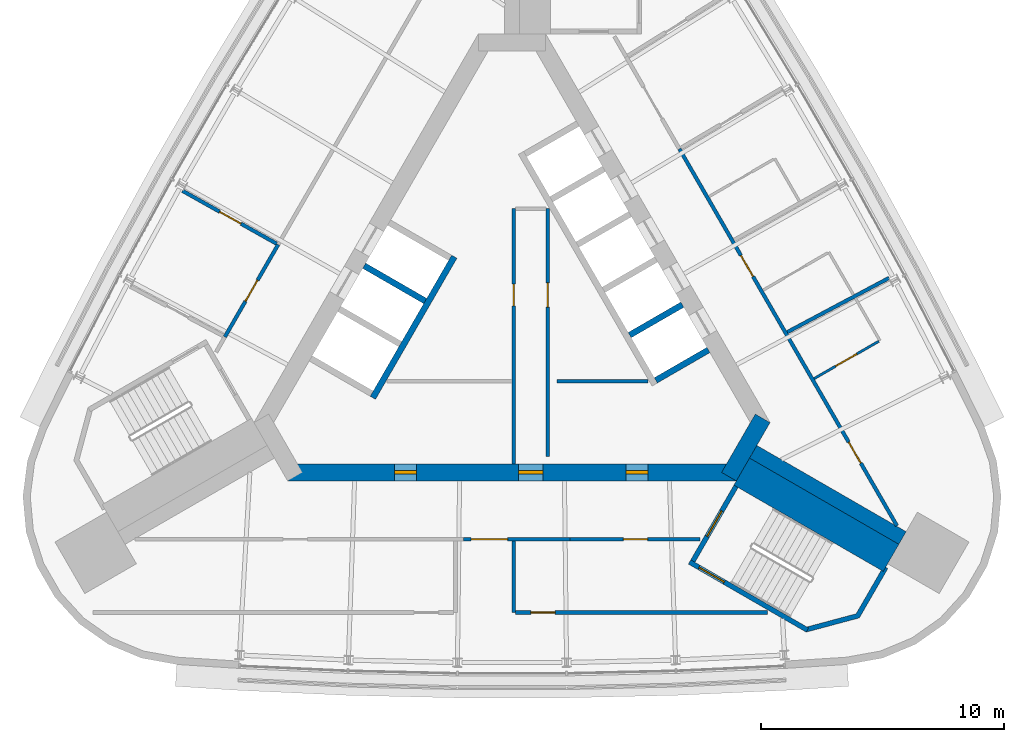
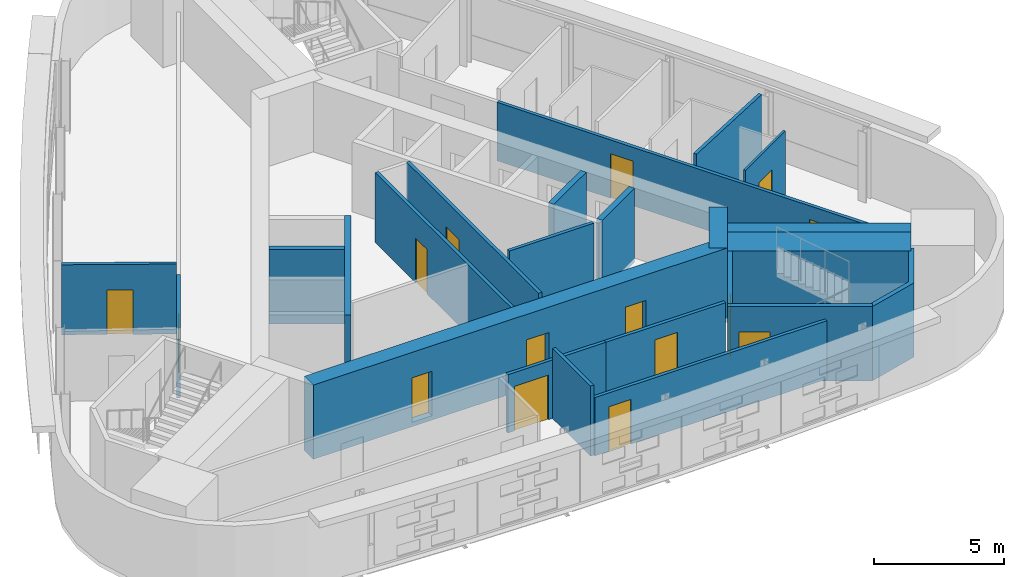
# One storey, part 6 of 10: 23 walls, 15 doors, 15 openings.
"""IFC4 building model written with IfcOpenShell, lengths in metres."""

import ifcopenshell
import ifcopenshell.guid

model = None  # the IFC model being written
_history = None  # IfcOwnerHistory: only IFC2X3 demands one
_inside = {}  # id of a spatial element -> (the spatial element, [elements in it])
_under = {}  # id of a project, library or spatial element -> (it, [spatial elements below it])
_declared = {}  # id of a project -> (the project, [libraries it declares])
_typed = {}  # id of a type object -> (the type object, [elements of that type])
_made_of = {}  # id of a material, layer set ... -> (it, [elements and type objects made of it])


def new_model(schema):
    """Start an empty IFC model of exactly this schema.

    Asked for "IFC4X3", IfcOpenShell would pick the latest addendum, in which some entities
    have other attributes; the version numbers below select the first issue.
    IFC2X3 requires an IfcOwnerHistory on every rooted entity: one is made here for all.
    """
    global model, _history
    if schema == "IFC4X3":
        model = ifcopenshell.file(schema_version=(4, 3, 0, 0))
    else:
        model = ifcopenshell.file(schema=schema)
    _inside.clear()
    _under.clear()
    _declared.clear()
    _typed.clear()
    _made_of.clear()
    _history = None
    if model.schema == "IFC2X3":
        org = make("IfcOrganization", Name="unknown")
        user = make(
            "IfcPersonAndOrganization",
            ThePerson=make("IfcPerson", FamilyName="unknown"),
            TheOrganization=org,
        )
        app = make(
            "IfcApplication",
            ApplicationDeveloper=org,
            Version="unknown",
            ApplicationFullName="unknown",
            ApplicationIdentifier="unknown",
        )
        _history = make(
            "IfcOwnerHistory",
            OwningUser=user,
            OwningApplication=app,
            ChangeAction="ADDED",
            CreationDate=0,
        )
    return model


def make(cls, **values):
    """One entity of the class cls with the attributes given. An attribute that is None is left unset."""
    return model.create_entity(
        cls, **{name: value for name, value in values.items() if value is not None}
    )


def rooted(cls, **values):
    """An entity with a GlobalId (a new one), such as an element, a storey or a relation."""
    return make(cls, GlobalId=ifcopenshell.guid.new(), OwnerHistory=_history, **values)


def si_unit(unit_type, name, prefix=None):
    """IfcSIUnit, for example si_unit("LENGTHUNIT", "METRE", prefix="MILLI")."""
    return make("IfcSIUnit", UnitType=unit_type, Prefix=prefix, Name=name)


def assignment(units):
    """IfcUnitAssignment: the units of a project."""
    return None if units is None else make("IfcUnitAssignment", Units=units)


def point(xyz):
    """IfcCartesianPoint."""
    return None if xyz is None else make("IfcCartesianPoint", Coordinates=xyz)


def direction(xyz):
    """IfcDirection."""
    return None if xyz is None else make("IfcDirection", DirectionRatios=xyz)


def frame(location, z_axis=None, x_axis=None):
    """IfcAxis2Placement3D, a coordinate frame: its origin and axes. An axis left out is left unset."""
    return make(
        "IfcAxis2Placement3D",
        Location=point(location),
        Axis=direction(z_axis),
        RefDirection=direction(x_axis),
    )


def frame_2d(location, x_axis=None):
    """IfcAxis2Placement2D, a coordinate frame in the plane: its origin and x axis."""
    return make(
        "IfcAxis2Placement2D", Location=point(location), RefDirection=direction(x_axis)
    )


def origin():
    """The frame at (0, 0, 0) with its axes left unset."""
    return frame((0.0, 0.0, 0.0))


def place(relative_to, where):
    """IfcLocalPlacement: puts the frame where relative to a parent placement (None: the world)."""
    return make(
        "IfcLocalPlacement", PlacementRelTo=relative_to, RelativePlacement=where
    )


def context(
    kind, dimensions, precision=None, world=None, true_north=None, identifier=None
):
    """IfcGeometricRepresentationContext, for example the 3D "Model" context."""
    return make(
        "IfcGeometricRepresentationContext",
        ContextIdentifier=identifier,
        ContextType=kind,
        CoordinateSpaceDimension=dimensions,
        Precision=precision,
        WorldCoordinateSystem=world,
        TrueNorth=true_north,
    )


def subcontext(parent, identifier, kind, view, scale=None):
    """IfcGeometricRepresentationSubContext, for example "Body" below "Model"."""
    return make(
        "IfcGeometricRepresentationSubContext",
        ContextIdentifier=identifier,
        ContextType=kind,
        ParentContext=parent,
        TargetScale=scale,
        TargetView=view,
    )


def project(units=None, contexts=None):
    """IfcProject with its units and contexts."""
    return rooted(
        "IfcProject",
        Name="project",
        RepresentationContexts=contexts,
        UnitsInContext=assignment(units),
    )


def spatial(cls, under=None, at=None, **own):
    """A site, building, storey or space (cls), placed at a placement, below another one or the project."""
    s = rooted(cls, ObjectPlacement=at, **own)
    if under is not None:
        _under.setdefault(under.id(), (under, []))[1].append(s)
    return s


def polyline(points):
    """IfcPolyline through the points."""
    return make("IfcPolyline", Points=[point(p) for p in points])


def profile(cls, at=None, kind="AREA", **sizes):
    """A parametric profile (cls). Its sizes go by their IFC names, for example OverallWidth=200.0."""
    return make(cls, ProfileType=kind, Position=at, **sizes)


def rectangle(**sizes):
    """IfcRectangleProfileDef."""
    return profile("IfcRectangleProfileDef", **sizes)


def outline(outer, holes=None, kind="AREA"):
    """IfcArbitraryClosedProfileDef: a profile drawn as a closed curve; with holes, ...WithVoids."""
    if holes is None:
        return make("IfcArbitraryClosedProfileDef", ProfileType=kind, OuterCurve=outer)
    return make(
        "IfcArbitraryProfileDefWithVoids",
        ProfileType=kind,
        OuterCurve=outer,
        InnerCurves=holes,
    )


def extrude(swept, where, along, depth):
    """IfcExtrudedAreaSolid: the profile swept, set in the frame where, extruded along a direction by depth."""
    return make(
        "IfcExtrudedAreaSolid",
        SweptArea=swept,
        Position=where,
        ExtrudedDirection=direction(along),
        Depth=depth,
    )


def shape(context_of_items, identifier, shape_type, items):
    """IfcShapeRepresentation: the items that make up one representation, for example the "Body"."""
    return make(
        "IfcShapeRepresentation",
        ContextOfItems=context_of_items,
        RepresentationIdentifier=identifier,
        RepresentationType=shape_type,
        Items=items,
    )


def material(Name=None, Category=None):
    """IfcMaterial."""
    return make("IfcMaterial", Name=Name, Category=Category)


def layer(
    of_material, thickness, ventilated=None, Name=None, Category=None, Priority=None
):
    """IfcMaterialLayer: one layer of a wall or slab, of a material (None: an air gap)."""
    return make(
        "IfcMaterialLayer",
        Material=of_material,
        LayerThickness=thickness,
        IsVentilated=ventilated,
        Name=Name,
        Category=Category,
        Priority=Priority,
    )


def layer_set(layers, Name=None):
    """IfcMaterialLayerSet."""
    return make("IfcMaterialLayerSet", MaterialLayers=layers, LayerSetName=Name)


def made_of(thing, what):
    """Note that an element or type object is made of a material, layer set ...; save() writes the relation."""
    if what is not None:
        _made_of.setdefault(what.id(), (what, []))[1].append(thing)
    return thing


def type_object(cls, material=None, **own):
    """A type object (cls), such as IfcWallType, which elements share."""
    return made_of(rooted(cls, **own), material)


def element(
    cls,
    number,
    at=None,
    inside=None,
    cuts=None,
    type_object=None,
    material=None,
    context=None,
    identifier="Body",
    shape_type=None,
    held_by="IfcProductDefinitionShape",
    body=None,
    shapes=None,
    **own,
):
    """One element of the class cls, such as IfcWall. Its Tag is "e" and its number.

    at: its placement. inside: the storey or other place that contains it. cuts: it is an
    opening in that element (IfcRelVoidsElement). A single representation is given by context,
    identifier, shape_type and body (its items); several are given by shapes. held_by: the class
    of the entity that holds the representations. save() writes the other relations.
    """
    e = rooted(cls, Tag="e%d" % number, ObjectPlacement=at, **own)
    if body is not None:
        shapes = [shape(context, identifier, shape_type, body)]
    if shapes is not None:
        e.Representation = make(held_by, Representations=shapes)
    if inside is not None:
        _inside.setdefault(inside.id(), (inside, []))[1].append(e)
    if cuts is not None:
        rooted(
            "IfcRelVoidsElement", RelatingBuildingElement=cuts, RelatedOpeningElement=e
        )
    if type_object is not None:
        _typed.setdefault(type_object.id(), (type_object, []))[1].append(e)
    return made_of(e, material)


def fill(opening, filler):
    """IfcRelFillsElement: the door or window that sits in an opening."""
    return rooted(
        "IfcRelFillsElement",
        RelatingOpeningElement=opening,
        RelatedBuildingElement=filler,
    )


def aggregate(whole, parts):
    """IfcRelAggregates: a whole, such as a stair, and the parts it consists of."""
    return rooted("IfcRelAggregates", RelatingObject=whole, RelatedObjects=parts)


def save(model, path):
    """Write the relations noted so far, then the file.

    IfcRelAggregates (storeys below a building ...), IfcRelContainedInSpatialStructure (elements
    in a storey), IfcRelDefinesByType, IfcRelAssociatesMaterial and IfcRelDeclares: one each for
    every whole, place, type object, material and project.
    """
    for whole, parts in _under.values():
        aggregate(whole, parts)
    for where, things in _inside.values():
        rooted(
            "IfcRelContainedInSpatialStructure",
            RelatedElements=things,
            RelatingStructure=where,
        )
    for kind, things in _typed.values():
        rooted("IfcRelDefinesByType", RelatedObjects=things, RelatingType=kind)
    for what, things in _made_of.values():
        rooted("IfcRelAssociatesMaterial", RelatedObjects=things, RelatingMaterial=what)
    for by, libraries in _declared.values():
        rooted("IfcRelDeclares", RelatingContext=by, RelatedDefinitions=libraries)
    model.write(path)


model = new_model("IFC4")

# Units and contexts
model_context = context("Model", 3, precision=1e-05, world=origin(), true_north=direction((0.0, 1.0)))
body_context = subcontext(model_context, "Body", "Model", "MODEL_VIEW")
ifc_project = project(units=[si_unit("LENGTHUNIT", "METRE"), si_unit("AREAUNIT", "SQUARE_METRE"), si_unit("VOLUMEUNIT", "CUBIC_METRE"), si_unit("PLANEANGLEUNIT", "RADIAN"), si_unit("MASSUNIT", "GRAM", prefix="KILO")], contexts=[model_context])

# Site, building, storey
site_placement = place(None, origin())
site = spatial("IfcSite", under=ifc_project, at=site_placement, CompositionType="ELEMENT")
building_placement = place(site_placement, origin())
building = spatial("IfcBuilding", under=site, at=building_placement, Name="Noor Cloister Tower", CompositionType="ELEMENT")
storey_placement = place(building_placement, frame((0.0, 0.0, 247.199951171875)))
storey = spatial("IfcBuildingStorey", under=building, at=storey_placement, Name="L64", CompositionType="ELEMENT", Elevation=247.199951171875)

# Wall
ifc_material_1 = material(Name="Concrete C60/75", Category="concrete")
ifc_layer_1 = layer(ifc_material_1, 0.60009765625)
ifc_layer_set_1 = layer_set([ifc_layer_1], Name="Buttress wall 600 C60/75")
wall_type_1 = type_object("IfcWallType", Name="Buttress wall 600 C60/75", PredefinedType="SHEAR", material=ifc_layer_set_1)
wall_1_placement = place(storey_placement, frame((9.921630859375, -5.728271484375, -0.199951171875), z_axis=(0.0, 0.0, 1.0), x_axis=(0.866029688112, -0.499992579254, 0.0)))
element("IfcWall", 1, at=wall_1_placement, inside=storey, type_object=wall_type_1, Name="Buttress wall SE L64", PredefinedType="SHEAR", context=body_context, shape_type="SweptSolid", body=[
    extrude(rectangle(XDim=7.09326171875, YDim=0.60009765625, at=frame_2d((3.546630859375, 0.0))), origin(), (0.0, 0.0, 1.0), 3.5),
])

# Wall, opening, door
ifc_material_2 = material(Name="Concrete C30/37", Category="concrete")
ifc_layer_2 = layer(ifc_material_2, 0.14990234375)
ifc_layer_set_2 = layer_set([ifc_layer_2], Name="Core partition 150 C30/37")
wall_type_2 = type_object("IfcWallType", Name="Core partition 150 C30/37", PredefinedType="PARTITIONING", material=ifc_layer_set_2)
wall_2_placement = place(storey_placement, frame((0.0712890625, 4.271728515625, 0.0), z_axis=(0.0, 0.0, 1.0), x_axis=(0.0, -1.0, 0.0)))
wall_2 = element("IfcWall", 2, at=wall_2_placement, inside=storey, type_object=wall_type_2, Name="Core room partition L64 2", PredefinedType="PARTITIONING", context=body_context, shape_type="SweptSolid", body=[
    extrude(rectangle(XDim=10.5, YDim=0.14990234375, at=frame_2d((5.25, 0.0))), origin(), (0.0, 0.0, 1.0), 3.300048828125),
])
opening_1_placement = place(wall_2_placement, frame((3.10107421875, 0.0, 0.0)))
opening_1 = element("IfcOpeningElement", 3, at=opening_1_placement, cuts=wall_2, Name="Opening L64-904", PredefinedType="OPENING", context=body_context, shape_type="SweptSolid", body=[
    extrude(rectangle(XDim=0.89990234375, YDim=2.10009765625, at=frame_2d((0.449951171875, 1.050048828125))), frame((0.0, 0.0849609375, 0.0), z_axis=(0.0, -1.0, 0.0), x_axis=(1.0, 0.0, 0.0)), (0.0, 0.0, 1.0), 0.169921875),
])
ifc_material_3 = material(Name="Steel", Category="steel")
door_type_1 = type_object("IfcDoorType", Name="Core door 900 x 2100 FD120", OperationType="SINGLE_SWING_LEFT", PredefinedType="DOOR", material=ifc_material_3)
door_1_placement = place(opening_1_placement, origin())
door_1 = element("IfcDoor", 4, at=door_1_placement, inside=storey, type_object=door_type_1, Name="Core door 4 L64", OperationType="SINGLE_SWING_RIGHT", OverallHeight=2.10009765625, OverallWidth=0.89990234375, PredefinedType="DOOR", context=body_context, shape_type="SweptSolid", body=[
    extrude(rectangle(XDim=0.89990234375, YDim=2.10009765625, at=frame_2d((0.449951171875, 1.050048828125))), frame((0.0, 0.02490234375, 0.0), z_axis=(0.0, -1.0, 0.0), x_axis=(1.0, 0.0, 0.0)), (0.0, 0.0, 1.0), 0.050048828125),
])
fill(opening_1, door_1)

wall_3_placement = place(storey_placement, frame((1.47119140625, -5.92822265625, 0.0), z_axis=(0.0, 0.0, 1.0), x_axis=(0.0, 1.0, 0.0)))
wall_3 = element("IfcWall", 5, at=wall_3_placement, inside=storey, type_object=wall_type_2, Name="Core room partition L64 4", PredefinedType="PARTITIONING", context=body_context, shape_type="SweptSolid", body=[
    extrude(rectangle(XDim=10.206298828125, YDim=0.14990234375, at=frame_2d((5.10302734375, 0.0))), origin(), (0.0, 0.0, 1.0), 3.300048828125),
])
opening_2_placement = place(wall_3_placement, frame((6.14990234375, 0.0, 0.0)))
opening_2 = element("IfcOpeningElement", 6, at=opening_2_placement, cuts=wall_3, Name="Opening L64-905", PredefinedType="OPENING", context=body_context, shape_type="SweptSolid", body=[
    extrude(rectangle(XDim=1.0, YDim=2.10009765625, at=frame_2d((0.5, 1.050048828125))), frame((0.0, 0.0849609375, 0.0), z_axis=(0.0, -1.0, 0.0), x_axis=(1.0, 0.0, 0.0)), (0.0, 0.0, 1.0), 0.169921875),
])
ifc_material_4 = material(Name="Steel", Category="steel")
door_type_2 = type_object("IfcDoorType", Name="Core door 1000 x 2100 FD60", OperationType="SINGLE_SWING_LEFT", PredefinedType="DOOR", material=ifc_material_4)
door_2_placement = place(opening_2_placement, origin())
door_2 = element("IfcDoor", 7, at=door_2_placement, inside=storey, type_object=door_type_2, Name="Core door 5 L64", OperationType="SINGLE_SWING_LEFT", OverallHeight=2.10009765625, OverallWidth=1.0, PredefinedType="DOOR", context=body_context, shape_type="SweptSolid", body=[
    extrude(rectangle(XDim=1.0, YDim=2.10009765625, at=frame_2d((0.5, 1.050048828125))), frame((0.0, 0.02490234375, 0.0), z_axis=(0.0, -1.0, 0.0), x_axis=(1.0, 0.0, 0.0)), (0.0, 0.0, 1.0), 0.050048828125),
])
fill(opening_2, door_2)

# Wall
wall_4_placement = place(storey_placement, frame((1.84619140625, -2.828125, 0.0), z_axis=(0.0, 0.0, 1.0), x_axis=(1.0, 0.0, 0.0)))
element("IfcWall", 8, at=wall_4_placement, inside=storey, type_object=wall_type_2, Name="Core room partition L64 5", PredefinedType="PARTITIONING", context=body_context, shape_type="SweptSolid", body=[
    extrude(rectangle(XDim=3.7578125, YDim=0.14990234375, at=frame_2d((1.87890625, 0.0))), origin(), (0.0, 0.0, 1.0), 3.300048828125),
])

# Wall, openings, doors
ifc_material_5 = material(Name="Concrete C60/75", Category="concrete")
ifc_layer_3 = layer(ifc_material_5, 0.699951171875)
ifc_layer_set_3 = layer_set([ifc_layer_3], Name="Core wall 700 C60/75")
wall_type_3 = type_object("IfcWallType", Name="Core wall 700 C60/75", PredefinedType="SHEAR", material=ifc_layer_set_3)
wall_5_placement = place(storey_placement, frame((-9.228759765625, -6.578125, -0.199951171875), z_axis=(0.0, 0.0, 1.0), x_axis=(1.0, 0.0, 0.0)))
wall_5 = element("IfcWall", 9, at=wall_5_placement, inside=storey, type_object=wall_type_3, Name="Core wall L64 1", PredefinedType="SHEAR", context=body_context, shape_type="SweptSolid", body=[
    extrude(rectangle(XDim=18.45751953125, YDim=0.699951171875, at=frame_2d((9.228759765625, 0.0))), origin(), (0.0, 0.0, 1.0), 3.5),
])
opening_3_placement = place(wall_5_placement, frame((9.5, 0.0, 0.199951171875)))
opening_3 = element("IfcOpeningElement", 10, at=opening_3_placement, cuts=wall_5, Name="Opening L64-901", PredefinedType="OPENING", context=body_context, shape_type="SweptSolid", body=[
    extrude(rectangle(XDim=1.0, YDim=2.10009765625, at=frame_2d((0.5, 1.050048828125))), frame((0.0, 0.35986328125, 0.0), z_axis=(0.0, -1.0, 0.0), x_axis=(1.0, 0.0, 0.0)), (0.0, 0.0, 1.0), 0.719970703125),
])
opening_4_placement = place(wall_5_placement, frame((4.402099609375, 0.0, 0.199951171875)))
opening_4 = element("IfcOpeningElement", 11, at=opening_4_placement, cuts=wall_5, Name="Opening L64-902", PredefinedType="OPENING", context=body_context, shape_type="SweptSolid", body=[
    extrude(rectangle(XDim=0.89990234375, YDim=2.10009765625, at=frame_2d((0.449951171875, 1.050048828125))), frame((0.0, 0.35986328125, 0.0), z_axis=(0.0, -1.0, 0.0), x_axis=(1.0, 0.0, 0.0)), (0.0, 0.0, 1.0), 0.719970703125),
])
opening_5_placement = place(wall_5_placement, frame((13.9267578125, 0.0, 0.199951171875)))
opening_5 = element("IfcOpeningElement", 12, at=opening_5_placement, cuts=wall_5, Name="Opening L64-903", PredefinedType="OPENING", context=body_context, shape_type="SweptSolid", body=[
    extrude(rectangle(XDim=0.89990234375, YDim=2.10009765625, at=frame_2d((0.449951171875, 1.050048828125))), frame((0.0, 0.35986328125, 0.0), z_axis=(0.0, -1.0, 0.0), x_axis=(1.0, 0.0, 0.0)), (0.0, 0.0, 1.0), 0.719970703125),
])
ifc_material_6 = material(Name="Steel", Category="steel")
door_type_3 = type_object("IfcDoorType", Name="Core door 1000 x 2100 FD120", OperationType="SINGLE_SWING_LEFT", PredefinedType="DOOR", material=ifc_material_6)
door_3_placement = place(opening_3_placement, origin())
door_3 = element("IfcDoor", 13, at=door_3_placement, inside=storey, type_object=door_type_3, Name="Core door 1 L64", OperationType="SINGLE_SWING_LEFT", OverallHeight=2.10009765625, OverallWidth=1.0, PredefinedType="DOOR", context=body_context, shape_type="SweptSolid", body=[
    extrude(rectangle(XDim=1.0, YDim=2.10009765625, at=frame_2d((0.5, 1.050048828125))), frame((0.0, 0.074951171875, 0.0), z_axis=(0.0, -1.0, 0.0), x_axis=(1.0, 0.0, 0.0)), (0.0, 0.0, 1.0), 0.14990234375),
])
fill(opening_3, door_3)
door_4_placement = place(opening_5_placement, origin())
door_4 = element("IfcDoor", 14, at=door_4_placement, inside=storey, type_object=door_type_1, Name="Core door 3 L64", OperationType="SINGLE_SWING_LEFT", OverallHeight=2.10009765625, OverallWidth=0.89990234375, PredefinedType="DOOR", context=body_context, shape_type="SweptSolid", body=[
    extrude(rectangle(XDim=0.89990234375, YDim=2.10009765625, at=frame_2d((0.449951171875, 1.050048828125))), frame((0.0, 0.074951171875, 0.0), z_axis=(0.0, -1.0, 0.0), x_axis=(1.0, 0.0, 0.0)), (0.0, 0.0, 1.0), 0.14990234375),
])
fill(opening_5, door_4)
ifc_material_7 = material(Name="Steel", Category="steel")
door_type_4 = type_object("IfcDoorType", Name="Core door 900 x 2100 FD60", OperationType="SINGLE_SWING_LEFT", PredefinedType="DOOR", material=ifc_material_7)
door_5_placement = place(opening_4_placement, origin())
door_5 = element("IfcDoor", 15, at=door_5_placement, inside=storey, type_object=door_type_4, Name="Core door 2 L64", OperationType="SINGLE_SWING_RIGHT", OverallHeight=2.10009765625, OverallWidth=0.89990234375, PredefinedType="DOOR", context=body_context, shape_type="SweptSolid", body=[
    extrude(rectangle(XDim=0.89990234375, YDim=2.10009765625, at=frame_2d((0.449951171875, 1.050048828125))), frame((0.0, 0.074951171875, 0.0), z_axis=(0.0, -1.0, 0.0), x_axis=(1.0, 0.0, 0.0)), (0.0, 0.0, 1.0), 0.14990234375),
])
fill(opening_4, door_5)

# Wall
wall_6_placement = place(storey_placement, frame((8.925537109375, -6.753173828125, -0.199951171875), z_axis=(0.0, 0.0, 1.0), x_axis=(0.500042739161, 0.866000726912, 0.0)))
element("IfcWall", 16, at=wall_6_placement, inside=storey, type_object=wall_type_3, Name="Core wall L64 2", PredefinedType="SHEAR", context=body_context, shape_type="SweptSolid", body=[
    extrude(rectangle(XDim=2.771240234375, YDim=0.699951171875, at=frame_2d((1.3857421875, 0.0))), origin(), (0.0, 0.0, 1.0), 3.5),
])

# Wall, opening, door
ifc_material_8 = material(Name="Fire-rated gypsum board partition on steel studs, 150 mm", Category="steel")
ifc_layer_4 = layer(ifc_material_8, 0.14990234375)
ifc_layer_set_4 = layer_set([ifc_layer_4], Name="Fire lobby wall 150")
wall_type_4 = type_object("IfcWallType", Name="Fire lobby wall 150", PredefinedType="PARTITIONING", material=ifc_layer_set_4)
wall_7_placement = place(storey_placement, frame((-9.619873046875, 2.794189453125, 0.0), z_axis=(0.0, 0.0, 1.0), x_axis=(-0.500021421018, -0.866013036001, 0.0)))
wall_7 = element("IfcWall", 17, at=wall_7_placement, inside=storey, type_object=wall_type_4, Name="Wall L64-W25", PredefinedType="PARTITIONING", context=body_context, shape_type="SweptSolid", body=[
    extrude(rectangle(XDim=4.382568359375, YDim=0.14990234375, at=frame_2d((2.19140625, 0.0))), origin(), (0.0, 0.0, 1.0), 2.751953125),
])
opening_6_placement = place(wall_7_placement, frame((1.69140625, 0.0, 0.0)))
opening_6 = element("IfcOpeningElement", 18, at=opening_6_placement, cuts=wall_7, Name="Opening L64-014", PredefinedType="OPENING", context=body_context, shape_type="SweptSolid", body=[
    extrude(rectangle(XDim=1.0, YDim=2.10009765625, at=frame_2d((0.5, 1.050048828125))), frame((0.0, 0.0849609375, 0.0), z_axis=(0.0, -1.0, 0.0), x_axis=(1.0, 0.0, 0.0)), (0.0, 0.0, 1.0), 0.169921875),
])
ifc_material_9 = material(Name="Timber door leaf with steel frame", Category="steel")
door_type_5 = type_object("IfcDoorType", Name="Fire lobby door 1000", OperationType="NOTDEFINED", PredefinedType="DOOR", material=ifc_material_9)
door_6_placement = place(opening_6_placement, origin())
door_6 = element("IfcDoor", 19, at=door_6_placement, inside=storey, type_object=door_type_5, Name="Door L64-014", OperationType="SINGLE_SWING_RIGHT", OverallHeight=2.10009765625, OverallWidth=1.0, PredefinedType="DOOR", context=body_context, shape_type="SweptSolid", body=[
    extrude(rectangle(XDim=1.0, YDim=2.10009765625, at=frame_2d((0.5, 1.050048828125))), frame((0.0, 0.02490234375, 0.0), z_axis=(0.0, -1.0, 0.0), x_axis=(1.0, 0.0, 0.0)), (0.0, 0.0, 1.0), 0.050048828125),
])
fill(opening_6, door_6)

# Wall, openings, doors
ifc_material_10 = material(Name="Gypsum board partition on steel studs, 150 mm", Category="steel")
ifc_layer_5 = layer(ifc_material_10, 0.14990234375)
ifc_layer_set_5 = layer_set([ifc_layer_5], Name="Flat wall 150")
wall_type_5 = type_object("IfcWallType", Name="Flat wall 150", PredefinedType="PARTITIONING", material=ifc_layer_set_5)
wall_8_placement = place(storey_placement, frame((15.835693359375, -8.771728515625, 0.0), z_axis=(0.0, 0.0, 1.0), x_axis=(-0.500001479768, 0.866024549438, 0.0)))
wall_8 = element("IfcWall", 20, at=wall_8_placement, inside=storey, type_object=wall_type_5, Name="Wall L64-W01", PredefinedType="PARTITIONING", context=body_context, shape_type="SweptSolid", body=[
    extrude(rectangle(XDim=17.89990234375, YDim=0.14990234375, at=frame_2d((8.949951171875, 0.0))), origin(), (0.0, 0.0, 1.0), 2.751953125),
])
opening_7_placement = place(wall_8_placement, frame((2.972900390625, 0.0, 0.0)))
opening_7 = element("IfcOpeningElement", 21, at=opening_7_placement, cuts=wall_8, Name="Opening L64-003", PredefinedType="OPENING", context=body_context, shape_type="SweptSolid", body=[
    extrude(rectangle(XDim=1.0, YDim=2.10009765625, at=frame_2d((0.5, 1.050048828125))), frame((0.0, 0.0849609375, 0.0), z_axis=(0.0, -1.0, 0.0), x_axis=(1.0, 0.0, 0.0)), (0.0, 0.0, 1.0), 0.169921875),
])
opening_8_placement = place(wall_8_placement, frame((11.83740234375, 0.0, 0.0)))
opening_8 = element("IfcOpeningElement", 22, at=opening_8_placement, cuts=wall_8, Name="Opening L64-005", PredefinedType="OPENING", context=body_context, shape_type="SweptSolid", body=[
    extrude(rectangle(XDim=1.0, YDim=2.10009765625, at=frame_2d((0.5, 1.050048828125))), frame((0.0, 0.0849609375, 0.0), z_axis=(0.0, -1.0, 0.0), x_axis=(1.0, 0.0, 0.0)), (0.0, 0.0, 1.0), 0.169921875),
])
ifc_material_11 = material(Name="Timber door leaf with steel frame", Category="steel")
door_type_6 = type_object("IfcDoorType", Name="Flat entrance door 1000", OperationType="NOTDEFINED", PredefinedType="DOOR", material=ifc_material_11)
door_7_placement = place(opening_7_placement, origin())
door_7 = element("IfcDoor", 23, at=door_7_placement, inside=storey, type_object=door_type_6, Name="Door L64-003", OperationType="SINGLE_SWING_LEFT", OverallHeight=2.10009765625, OverallWidth=1.0, PredefinedType="DOOR", context=body_context, shape_type="SweptSolid", body=[
    extrude(rectangle(XDim=1.0, YDim=2.10009765625, at=frame_2d((0.5, 1.050048828125))), frame((0.0, 0.02490234375, 0.0), z_axis=(0.0, -1.0, 0.0), x_axis=(1.0, 0.0, 0.0)), (0.0, 0.0, 1.0), 0.050048828125),
])
fill(opening_7, door_7)
door_8_placement = place(opening_8_placement, origin())
door_8 = element("IfcDoor", 24, at=door_8_placement, inside=storey, type_object=door_type_6, Name="Door L64-005", OperationType="SINGLE_SWING_LEFT", OverallHeight=2.10009765625, OverallWidth=1.0, PredefinedType="DOOR", context=body_context, shape_type="SweptSolid", body=[
    extrude(rectangle(XDim=1.0, YDim=2.10009765625, at=frame_2d((0.5, 1.050048828125))), frame((0.0, 0.02490234375, 0.0), z_axis=(0.0, -1.0, 0.0), x_axis=(1.0, 0.0, 0.0)), (0.0, 0.0, 1.0), 0.050048828125),
])
fill(opening_8, door_8)

# Wall
wall_9_placement = place(storey_placement, frame((15.51806640625, 1.42529296875, 0.0), z_axis=(0.0, 0.0, 1.0), x_axis=(-0.882718227231, -0.469902682812, 0.0)))
element("IfcWall", 25, at=wall_9_placement, inside=storey, type_object=wall_type_5, Name="Wall L64-W08", PredefinedType="PARTITIONING", context=body_context, shape_type="SweptSolid", body=[
    extrude(rectangle(XDim=4.751220703125, YDim=0.14990234375, at=frame_2d((2.37548828125, 0.0))), origin(), (0.0, 0.0, 1.0), 3.300048828125),
])

# Wall, opening, door
wall_10_placement = place(storey_placement, frame((2.385498046875, -9.328125, 0.0), z_axis=(0.0, 0.0, 1.0), x_axis=(1.0, 0.0, 0.0)))
wall_10 = element("IfcWall", 26, at=wall_10_placement, inside=storey, type_object=wall_type_5, Name="Wall L64-W15", PredefinedType="PARTITIONING", context=body_context, shape_type="SweptSolid", body=[
    extrude(rectangle(XDim=5.342041015625, YDim=0.14990234375, at=frame_2d((2.6708984375, 0.0))), origin(), (0.0, 0.0, 1.0), 2.751953125),
])
opening_9_placement = place(wall_10_placement, frame((2.196044921875, 0.0, 0.0)))
opening_9 = element("IfcOpeningElement", 27, at=opening_9_placement, cuts=wall_10, Name="Opening L64-013", PredefinedType="OPENING", context=body_context, shape_type="SweptSolid", body=[
    extrude(rectangle(XDim=1.0, YDim=2.10009765625, at=frame_2d((0.5, 1.050048828125))), frame((0.0, 0.0849609375, 0.0), z_axis=(0.0, -1.0, 0.0), x_axis=(1.0, 0.0, 0.0)), (0.0, 0.0, 1.0), 0.169921875),
])
ifc_material_12 = material(Name="Timber door leaf with steel frame", Category="steel")
door_type_7 = type_object("IfcDoorType", Name="Interior door 1000 FD60", OperationType="NOTDEFINED", PredefinedType="DOOR", material=ifc_material_12)
door_9_placement = place(opening_9_placement, origin())
door_9 = element("IfcDoor", 28, at=door_9_placement, inside=storey, type_object=door_type_7, Name="Door L64-013", OperationType="SINGLE_SWING_LEFT", OverallHeight=2.10009765625, OverallWidth=1.0, PredefinedType="DOOR", context=body_context, shape_type="SweptSolid", body=[
    extrude(rectangle(XDim=1.0, YDim=2.10009765625, at=frame_2d((0.5, 1.050048828125))), frame((0.0, 0.02490234375, 0.0), z_axis=(0.0, -1.0, 0.0), x_axis=(1.0, 0.0, 0.0)), (0.0, 0.0, 1.0), 0.050048828125),
])
fill(opening_9, door_9)

wall_11_placement = place(storey_placement, frame((-1.985595703125, -9.328125, 0.0), z_axis=(0.0, 0.0, 1.0), x_axis=(1.0, 0.0, 0.0)))
wall_11 = element("IfcWall", 29, at=wall_11_placement, inside=storey, type_object=wall_type_5, Name="Wall L64-W16", PredefinedType="PARTITIONING", context=body_context, shape_type="SweptSolid", body=[
    extrude(rectangle(XDim=4.37109375, YDim=0.14990234375, at=frame_2d((2.185546875, 0.0))), origin(), (0.0, 0.0, 1.0), 2.751953125),
])
opening_10_placement = place(wall_11_placement, frame((0.306640625, 0.0, 0.0)))
opening_10 = element("IfcOpeningElement", 30, at=opening_10_placement, cuts=wall_11, Name="Opening L64-009", PredefinedType="OPENING", context=body_context, shape_type="SweptSolid", body=[
    extrude(rectangle(XDim=1.5, YDim=2.10009765625, at=frame_2d((0.75, 1.050048828125))), frame((0.0, 0.0849609375, 0.0), z_axis=(0.0, -1.0, 0.0), x_axis=(1.0, 0.0, 0.0)), (0.0, 0.0, 1.0), 0.169921875),
])
ifc_material_13 = material(Name="Timber door leaf with steel frame", Category="steel")
door_type_8 = type_object("IfcDoorType", Name="Double door 1500 FD60", OperationType="NOTDEFINED", PredefinedType="DOOR", material=ifc_material_13)
door_10_placement = place(opening_10_placement, origin())
door_10 = element("IfcDoor", 31, at=door_10_placement, inside=storey, type_object=door_type_8, Name="Door L64-009", OperationType="DOUBLE_DOOR_SINGLE_SWING", OverallHeight=2.10009765625, OverallWidth=1.5, PredefinedType="DOOR", context=body_context, shape_type="SweptSolid", body=[
    extrude(rectangle(XDim=1.5, YDim=2.10009765625, at=frame_2d((0.75, 1.050048828125))), frame((0.0, 0.02490234375, 0.0), z_axis=(0.0, -1.0, 0.0), x_axis=(1.0, 0.0, 0.0)), (0.0, 0.0, 1.0), 0.050048828125),
])
fill(opening_10, door_10)

# Wall
wall_12_placement = place(storey_placement, frame((0.077880859375, -9.4033203125, 0.0), z_axis=(0.0, 0.0, 1.0), x_axis=(0.0, -1.0, 0.0)))
element("IfcWall", 32, at=wall_12_placement, inside=storey, type_object=wall_type_5, Name="Wall L64-W18", PredefinedType="PARTITIONING", context=body_context, shape_type="SweptSolid", body=[
    extrude(rectangle(XDim=2.9365234375, YDim=0.14990234375, at=frame_2d((1.46826171875, 0.0))), origin(), (0.0, 0.0, 1.0), 3.300048828125),
])

# Wall, opening, door
wall_13_placement = place(storey_placement, frame((0.153076171875, -12.33984375, 0.0), z_axis=(0.0, 0.0, 1.0), x_axis=(1.0, 0.0, 0.0)))
wall_13 = element("IfcWall", 33, at=wall_13_placement, inside=storey, type_object=wall_type_5, Name="Wall L64-W20", PredefinedType="PARTITIONING", context=body_context, shape_type="SweptSolid", body=[
    extrude(rectangle(XDim=10.34912109375, YDim=0.14990234375, at=frame_2d((5.174560546875, 0.0))), origin(), (0.0, 0.0, 1.0), 2.751953125),
])
opening_11_placement = place(wall_13_placement, frame((0.625, 0.0, 0.0)))
opening_11 = element("IfcOpeningElement", 34, at=opening_11_placement, cuts=wall_13, Name="Opening L64-012", PredefinedType="OPENING", context=body_context, shape_type="SweptSolid", body=[
    extrude(rectangle(XDim=1.0, YDim=2.10009765625, at=frame_2d((0.5, 1.050048828125))), frame((0.0, 0.0849609375, 0.0), z_axis=(0.0, -1.0, 0.0), x_axis=(1.0, 0.0, 0.0)), (0.0, 0.0, 1.0), 0.169921875),
])
door_11_placement = place(opening_11_placement, origin())
door_11 = element("IfcDoor", 35, at=door_11_placement, inside=storey, type_object=door_type_7, Name="Door L64-012", OperationType="SINGLE_SWING_RIGHT", OverallHeight=2.10009765625, OverallWidth=1.0, PredefinedType="DOOR", context=body_context, shape_type="SweptSolid", body=[
    extrude(rectangle(XDim=1.0, YDim=2.10009765625, at=frame_2d((0.5, 1.050048828125))), frame((0.0, 0.02490234375, 0.0), z_axis=(0.0, -1.0, 0.0), x_axis=(1.0, 0.0, 0.0)), (0.0, 0.0, 1.0), 0.050048828125),
])
fill(opening_11, door_11)

wall_14_placement = place(storey_placement, frame((-13.557861328125, 5.008056640625, 0.0), z_axis=(0.0, 0.0, 1.0), x_axis=(0.871701726161, -0.490036835971, 0.0)))
wall_14 = element("IfcWall", 36, at=wall_14_placement, inside=storey, type_object=wall_type_5, Name="Wall L64-W23", PredefinedType="PARTITIONING", context=body_context, shape_type="SweptSolid", body=[
    extrude(rectangle(XDim=4.442626953125, YDim=0.14990234375, at=frame_2d((2.22119140625, 0.0))), origin(), (0.0, 0.0, 1.0), 3.300048828125),
])
opening_12_placement = place(wall_14_placement, frame((1.7587890625, 0.0, 0.0)))
opening_12 = element("IfcOpeningElement", 37, at=opening_12_placement, cuts=wall_14, Name="Opening L64-015", PredefinedType="OPENING", context=body_context, shape_type="SweptSolid", body=[
    extrude(rectangle(XDim=1.0, YDim=2.10009765625, at=frame_2d((0.5, 1.050048828125))), frame((0.0, 0.0849609375, 0.0), z_axis=(0.0, -1.0, 0.0), x_axis=(1.0, 0.0, 0.0)), (0.0, 0.0, 1.0), 0.169921875),
])
door_12_placement = place(opening_12_placement, origin())
door_12 = element("IfcDoor", 38, at=door_12_placement, inside=storey, type_object=door_type_7, Name="Door L64-015", OperationType="SINGLE_SWING_LEFT", OverallHeight=2.10009765625, OverallWidth=1.0, PredefinedType="DOOR", context=body_context, shape_type="SweptSolid", body=[
    extrude(rectangle(XDim=1.0, YDim=2.10009765625, at=frame_2d((0.5, 1.050048828125))), frame((0.0, 0.02490234375, 0.0), z_axis=(0.0, -1.0, 0.0), x_axis=(1.0, 0.0, 0.0)), (0.0, 0.0, 1.0), 0.050048828125),
])
fill(opening_12, door_12)

ifc_material_14 = material(Name="Gypsum board partition on steel studs, 100 mm", Category="steel")
ifc_layer_6 = layer(ifc_material_14, 0.10009765625)
ifc_layer_set_6 = layer_set([ifc_layer_6], Name="Partition 100")
wall_type_6 = type_object("IfcWallType", Name="Partition 100", PredefinedType="PARTITIONING", material=ifc_layer_set_6)
wall_15_placement = place(storey_placement, frame((15.0908203125, -1.181640625, 0.0), z_axis=(0.0, 0.0, 1.0), x_axis=(-0.866016353143, -0.500015675843, 0.0)))
wall_15 = element("IfcWall", 39, at=wall_15_placement, inside=storey, type_object=wall_type_6, Name="Wall L64-W07", PredefinedType="PARTITIONING", context=body_context, shape_type="SweptSolid", body=[
    extrude(rectangle(XDim=3.0751953125, YDim=0.10009765625, at=frame_2d((1.53759765625, 0.0))), origin(), (0.0, 0.0, 1.0), 3.300048828125),
])
opening_13_placement = place(wall_15_placement, frame((1.050048828125, 0.0, 0.0)))
opening_13 = element("IfcOpeningElement", 40, at=opening_13_placement, cuts=wall_15, Name="Opening L64-002", PredefinedType="OPENING", context=body_context, shape_type="SweptSolid", body=[
    extrude(rectangle(XDim=1.0, YDim=2.10009765625, at=frame_2d((0.5, 1.050048828125))), frame((0.0, 0.06005859375, 0.0), z_axis=(0.0, -1.0, 0.0), x_axis=(1.0, 0.0, 0.0)), (0.0, 0.0, 1.0), 0.1201171875),
])
ifc_material_15 = material(Name="Timber door leaf with steel frame", Category="steel")
door_type_9 = type_object("IfcDoorType", Name="Interior door 1000", OperationType="NOTDEFINED", PredefinedType="DOOR", material=ifc_material_15)
door_13_placement = place(opening_13_placement, origin())
door_13 = element("IfcDoor", 41, at=door_13_placement, inside=storey, type_object=door_type_9, Name="Door L64-002", OperationType="SINGLE_SWING_RIGHT", OverallHeight=2.10009765625, OverallWidth=1.0, PredefinedType="DOOR", context=body_context, shape_type="SweptSolid", body=[
    extrude(rectangle(XDim=1.0, YDim=2.10009765625, at=frame_2d((0.5, 1.050048828125))), frame((0.0, 0.02490234375, 0.0), z_axis=(0.0, -1.0, 0.0), x_axis=(1.0, 0.0, 0.0)), (0.0, 0.0, 1.0), 0.050048828125),
])
fill(opening_13, door_13)

# Walls
ifc_material_16 = material(Name="Concrete C60/75", Category="concrete")
ifc_layer_7 = layer(ifc_material_16, 0.25)
ifc_layer_set_7 = layer_set([ifc_layer_7], Name="Shaft wall 250 C60/75")
wall_type_7 = type_object("IfcWallType", Name="Shaft wall 250 C60/75", PredefinedType="PARTITIONING", material=ifc_layer_set_7)
for number, where, z_axis, x_axis, name in (
    (42, (8.081298828125, -1.540771484375, -0.199951171875), (0.0, 0.0, 1.0), (-0.866022959057, -0.500004234368, 0.0), "Lift shaft wall L64 NE 1"),
    (43, (7.00634765625, 0.3212890625, -0.199951171875), (0.0, 0.0, 1.0), (-0.866022959057, -0.500004234368, 0.0), "Lift shaft wall L64 NE 2"),
):
    element("IfcWall", number, at=place(storey_placement, frame(where, z_axis=z_axis, x_axis=x_axis)), inside=storey, type_object=wall_type_7, Name=name, PredefinedType="PARTITIONING", context=body_context, shape_type="SweptSolid", body=[
        extrude(rectangle(XDim=2.5, YDim=0.25, at=frame_2d((1.25, 0.0))), origin(), (0.0, 0.0, 1.0), 3.5),
    ])
wall_16_placement = place(storey_placement, frame((-6.081298828125, 1.92333984375, -0.199951171875), z_axis=(0.0, 0.0, 1.0), x_axis=(0.866032775405, -0.499987231761, 0.0)))
element("IfcWall", 44, at=wall_16_placement, inside=storey, type_object=wall_type_7, Name="Lift shaft wall L64 NW 4", PredefinedType="PARTITIONING", context=body_context, shape_type="SweptSolid", body=[
    extrude(rectangle(XDim=2.89990234375, YDim=0.25, at=frame_2d((1.449951171875, 0.0))), origin(), (0.0, 0.0, 1.0), 3.5),
])
wall_17_placement = place(storey_placement, frame((-2.3740234375, 2.29443359375, 0.0), z_axis=(0.0, 0.0, 1.0), x_axis=(-0.500003174267, -0.866023571113, 0.0)))
element("IfcWall", 45, at=wall_17_placement, inside=storey, type_object=wall_type_7, Name="Lift shaft back wall L64 NW", PredefinedType="PARTITIONING", context=body_context, shape_type="SweptSolid", body=[
    extrude(rectangle(XDim=6.7001953125, YDim=0.25, at=frame_2d((3.35009765625, 0.0))), origin(), (0.0, 0.0, 1.0), 3.300048828125),
])
ifc_material_17 = material(Name="Concrete C60/75", Category="concrete")
ifc_layer_8 = layer(ifc_material_17, 1.285888671875)
ifc_layer_set_8 = layer_set([ifc_layer_8], Name="Stair enclosure wall 1286 C60/75")
wall_type_8 = type_object("IfcWallType", Name="Stair enclosure wall 1286 C60/75", PredefinedType="SHEAR", material=ifc_layer_set_8)
wall_18_placement = place(storey_placement, frame((9.4501953125, -6.544677734375, -0.199951171875), z_axis=(0.0, 0.0, 1.0), x_axis=(0.866023389271, -0.500003489223, 0.0)))
element("IfcWall", 46, at=wall_18_placement, inside=storey, type_object=wall_type_8, Name="Stair enclosure wall ST3 L64 riser side", PredefinedType="SHEAR", context=body_context, shape_type="SweptSolid", body=[
    extrude(rectangle(XDim=7.09375, YDim=1.28564453125, at=frame_2d((3.546875, 0.0))), origin(), (0.0, 0.0, 1.0), 3.5),
])

# Wall, opening, door
ifc_material_18 = material(Name="Concrete C60/75", Category="concrete")
ifc_layer_9 = layer(ifc_material_18, 0.199951171875)
ifc_layer_set_9 = layer_set([ifc_layer_9], Name="Stair enclosure wall 200 C60/75")
wall_type_9 = type_object("IfcWallType", Name="Stair enclosure wall 200 C60/75", PredefinedType="SHEAR", material=ifc_layer_set_9)
wall_19_placement = place(storey_placement, frame((7.440185546875, -10.225830078125, -0.199951171875), z_axis=(0.0, 0.0, 1.0), x_axis=(0.500022077904, 0.866012656725, 0.0)))
wall_19 = element("IfcWall", 47, at=wall_19_placement, inside=storey, type_object=wall_type_9, Name="Stair enclosure wall ST3 L64 near end", PredefinedType="SHEAR", context=body_context, shape_type="SweptSolid", body=[
    extrude(rectangle(XDim=3.550048828125, YDim=0.199951171875, at=frame_2d((1.77490234375, 0.0))), origin(), (0.0, 0.0, 1.0), 3.5),
])
opening_14_placement = place(wall_19_placement, frame((1.175048828125, 0.0, 0.199951171875)))
opening_14 = element("IfcOpeningElement", 48, at=opening_14_placement, cuts=wall_19, Name="Opening L64-ST3L", PredefinedType="OPENING", context=body_context, shape_type="SweptSolid", body=[
    extrude(rectangle(XDim=1.199951171875, YDim=2.10009765625, at=frame_2d((0.60009765625, 1.050048828125))), frame((0.0, 0.10986328125, 0.0), z_axis=(0.0, -1.0, 0.0), x_axis=(1.0, 0.0, 0.0)), (0.0, 0.0, 1.0), 0.219970703125),
])
ifc_material_19 = material(Name="Steel", Category="steel")
door_type_10 = type_object("IfcDoorType", Name="Stair door 1200 x 2100 FD120", OperationType="SINGLE_SWING_LEFT", PredefinedType="DOOR", material=ifc_material_19)
door_14_placement = place(opening_14_placement, origin())
door_14 = element("IfcDoor", 49, at=door_14_placement, inside=storey, type_object=door_type_10, Name="Stair door ST3 L64", OperationType="SINGLE_SWING_RIGHT", OverallHeight=2.10009765625, OverallWidth=1.199951171875, PredefinedType="DOOR", context=body_context, shape_type="SweptSolid", body=[
    extrude(rectangle(XDim=1.199951171875, YDim=2.10009765625, at=frame_2d((0.60009765625, 1.050048828125))), frame((0.0, 0.02490234375, 0.0), z_axis=(0.0, -1.0, 0.0), x_axis=(1.0, 0.0, 0.0)), (0.0, 0.0, 1.0), 0.050048828125),
])
fill(opening_14, door_14)

wall_20_placement = place(storey_placement, frame((7.3037109375, -10.262451171875, -0.199951171875), z_axis=(0.0, 0.0, 1.0), x_axis=(0.866026594901, -0.49999793692, 0.0)))
wall_20 = element("IfcWall", 50, at=wall_20_placement, inside=storey, type_object=wall_type_9, Name="Stair enclosure wall ST3 L64 outer side", PredefinedType="SHEAR", context=body_context, shape_type="SweptSolid", body=[
    extrude(rectangle(XDim=5.60009765625, YDim=0.199951171875, at=frame_2d((2.800048828125, 0.0))), origin(), (0.0, 0.0, 1.0), 3.5),
])
opening_15_placement = place(wall_20_placement, frame((0.449951171875, 0.0, 0.199951171875)))
opening_15 = element("IfcOpeningElement", 51, at=opening_15_placement, cuts=wall_20, Name="Opening L64-ST3C", PredefinedType="OPENING", context=body_context, shape_type="SweptSolid", body=[
    extrude(rectangle(XDim=1.199951171875, YDim=2.10009765625, at=frame_2d((0.60009765625, 1.050048828125))), frame((0.0, 0.10986328125, 0.0), z_axis=(0.0, -1.0, 0.0), x_axis=(1.0, 0.0, 0.0)), (0.0, 0.0, 1.0), 0.219970703125),
])
door_15_placement = place(opening_15_placement, origin())
door_15 = element("IfcDoor", 52, at=door_15_placement, inside=storey, type_object=door_type_10, Name="Stair door ST3 L64", OperationType="SINGLE_SWING_LEFT", OverallHeight=2.10009765625, OverallWidth=1.199951171875, PredefinedType="DOOR", context=body_context, shape_type="SweptSolid", body=[
    extrude(rectangle(XDim=1.199951171875, YDim=2.10009765625, at=frame_2d((0.60009765625, 1.050048828125))), frame((0.0, 0.02490234375, 0.0), z_axis=(0.0, -1.0, 0.0), x_axis=(1.0, 0.0, 0.0)), (0.0, 0.0, 1.0), 0.050048828125),
])
fill(opening_15, door_15)

# Wall
ifc_material_20 = material(Name="Concrete C60/75", Category="concrete")
wall_type_10 = type_object("IfcWallType", Name="Stair far end wall C60/75", PredefinedType="SHEAR", material=ifc_material_20)
wall_21_placement = place(storey_placement, frame((0.0, 0.0, -0.199951171875)))
element("IfcWall", 53, at=wall_21_placement, inside=storey, type_object=wall_type_10, Name="Stair enclosure wall ST3 L64 far end", PredefinedType="SHEAR", context=body_context, shape_type="SweptSolid", body=[
    extrude(outline(polyline([(12.103515625, -13.14892578125), (14.2890625, -12.5634765625), (15.464111328125, -10.5283203125), (15.3720703125, -10.47509765625), (15.27197265625, -10.648193359375), (15.27197265625, -10.648193359375), (15.27197265625, -10.648193359375), (15.27197265625, -10.648193359375), (15.27197265625, -10.648193359375), (15.27197265625, -10.648193359375), (15.27197265625, -10.648193359375), (15.27197265625, -10.648193359375), (15.27197265625, -10.648193359375), (15.27197265625, -10.648193359375), (15.27197265625, -10.648193359375), (15.27197265625, -10.648193359375), (15.27197265625, -10.648193359375), (15.27197265625, -10.648193359375), (15.27197265625, -10.648193359375), (15.27197265625, -10.648193359375), (15.27197265625, -10.648193359375), (15.19091796875, -10.601318359375), (14.1572265625, -12.3916015625), (12.131591796875, -12.934326171875), (12.20361328125, -12.975830078125), (12.20361328125, -12.975830078125), (12.20361328125, -12.975830078125), (12.20361328125, -12.975830078125), (12.20361328125, -12.975830078125), (12.20361328125, -12.975830078125), (12.20361328125, -12.975830078125), (12.20361328125, -12.975830078125), (12.20361328125, -12.975830078125), (12.20361328125, -12.975830078125), (12.20361328125, -12.975830078125), (12.20361328125, -12.975830078125), (12.20361328125, -12.975830078125), (12.20361328125, -12.975830078125), (12.20361328125, -12.975830078125), (12.20361328125, -12.975830078125), (12.20361328125, -12.975830078125), (12.103515625, -13.14892578125)])), origin(), (0.0, 0.0, 1.0), 3.5),
])

save(model, "model.ifc")
